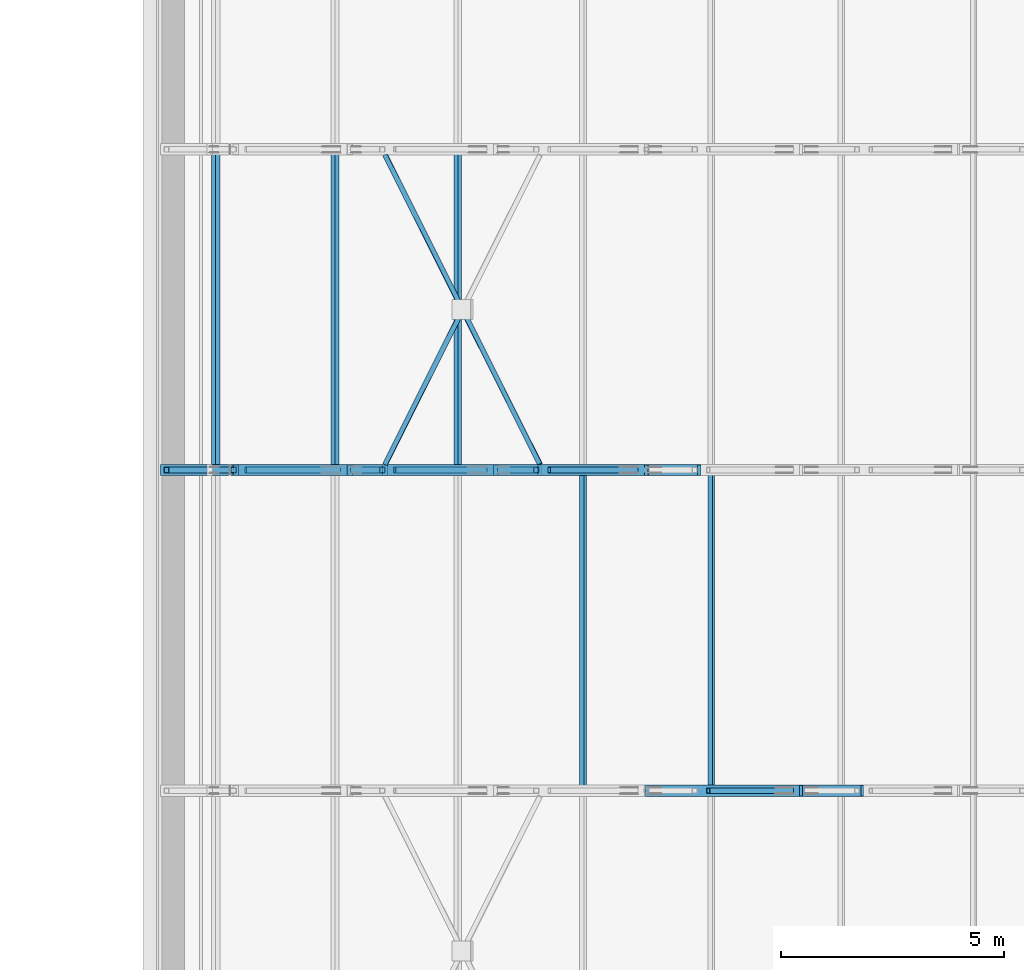
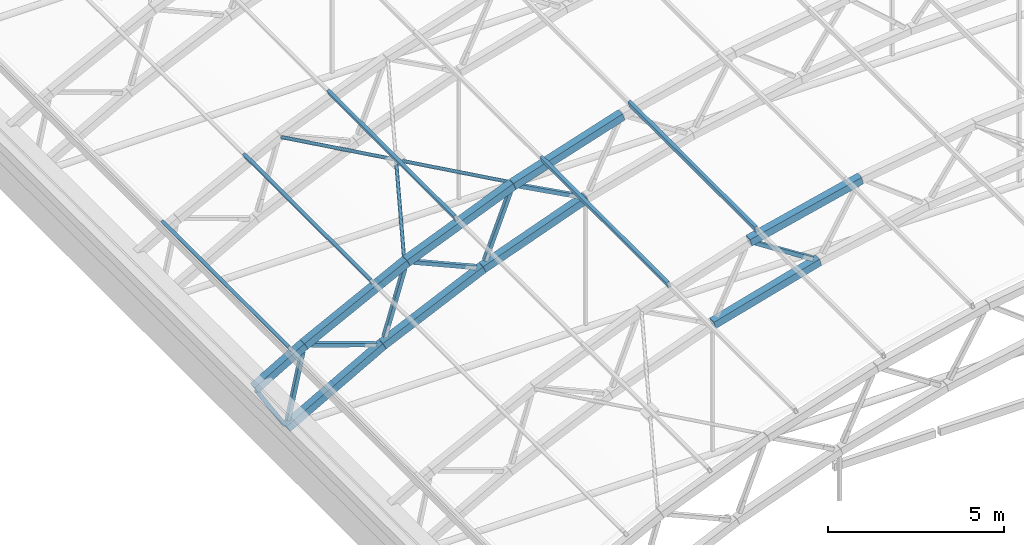
# One storey, part 9 of 127: 24 members.
"""IFC4 building model written with IfcOpenShell, lengths in metres."""

import ifcopenshell
import ifcopenshell.guid

model = None  # the IFC model being written
_history = None  # IfcOwnerHistory: only IFC2X3 demands one
_inside = {}  # id of a spatial element -> (the spatial element, [elements in it])
_under = {}  # id of a project, library or spatial element -> (it, [spatial elements below it])
_declared = {}  # id of a project -> (the project, [libraries it declares])
_typed = {}  # id of a type object -> (the type object, [elements of that type])
_made_of = {}  # id of a material, layer set ... -> (it, [elements and type objects made of it])


def new_model(schema):
    """Start an empty IFC model of exactly this schema.

    Asked for "IFC4X3", IfcOpenShell would pick the latest addendum, in which some entities
    have other attributes; the version numbers below select the first issue.
    IFC2X3 requires an IfcOwnerHistory on every rooted entity: one is made here for all.
    """
    global model, _history
    if schema == "IFC4X3":
        model = ifcopenshell.file(schema_version=(4, 3, 0, 0))
    else:
        model = ifcopenshell.file(schema=schema)
    _inside.clear()
    _under.clear()
    _declared.clear()
    _typed.clear()
    _made_of.clear()
    _history = None
    if model.schema == "IFC2X3":
        org = make("IfcOrganization", Name="unknown")
        user = make(
            "IfcPersonAndOrganization",
            ThePerson=make("IfcPerson", FamilyName="unknown"),
            TheOrganization=org,
        )
        app = make(
            "IfcApplication",
            ApplicationDeveloper=org,
            Version="unknown",
            ApplicationFullName="unknown",
            ApplicationIdentifier="unknown",
        )
        _history = make(
            "IfcOwnerHistory",
            OwningUser=user,
            OwningApplication=app,
            ChangeAction="ADDED",
            CreationDate=0,
        )
    return model


def make(cls, **values):
    """One entity of the class cls with the attributes given. An attribute that is None is left unset."""
    return model.create_entity(
        cls, **{name: value for name, value in values.items() if value is not None}
    )


def rooted(cls, **values):
    """An entity with a GlobalId (a new one), such as an element, a storey or a relation."""
    return make(cls, GlobalId=ifcopenshell.guid.new(), OwnerHistory=_history, **values)


def si_unit(unit_type, name, prefix=None):
    """IfcSIUnit, for example si_unit("LENGTHUNIT", "METRE", prefix="MILLI")."""
    return make("IfcSIUnit", UnitType=unit_type, Prefix=prefix, Name=name)


def assignment(units):
    """IfcUnitAssignment: the units of a project."""
    return None if units is None else make("IfcUnitAssignment", Units=units)


def point(xyz):
    """IfcCartesianPoint."""
    return None if xyz is None else make("IfcCartesianPoint", Coordinates=xyz)


def direction(xyz):
    """IfcDirection."""
    return None if xyz is None else make("IfcDirection", DirectionRatios=xyz)


def frame(location, z_axis=None, x_axis=None):
    """IfcAxis2Placement3D, a coordinate frame: its origin and axes. An axis left out is left unset."""
    return make(
        "IfcAxis2Placement3D",
        Location=point(location),
        Axis=direction(z_axis),
        RefDirection=direction(x_axis),
    )


def frame_2d(location, x_axis=None):
    """IfcAxis2Placement2D, a coordinate frame in the plane: its origin and x axis."""
    return make(
        "IfcAxis2Placement2D", Location=point(location), RefDirection=direction(x_axis)
    )


def origin():
    """The frame at (0, 0, 0) with its axes left unset."""
    return frame((0.0, 0.0, 0.0))


def origin_2d():
    """The frame at (0, 0) in the plane with its x axis left unset."""
    return frame_2d((0.0, 0.0))


def place(relative_to, where):
    """IfcLocalPlacement: puts the frame where relative to a parent placement (None: the world)."""
    return make(
        "IfcLocalPlacement", PlacementRelTo=relative_to, RelativePlacement=where
    )


def context(
    kind, dimensions, precision=None, world=None, true_north=None, identifier=None
):
    """IfcGeometricRepresentationContext, for example the 3D "Model" context."""
    return make(
        "IfcGeometricRepresentationContext",
        ContextIdentifier=identifier,
        ContextType=kind,
        CoordinateSpaceDimension=dimensions,
        Precision=precision,
        WorldCoordinateSystem=world,
        TrueNorth=true_north,
    )


def subcontext(parent, identifier, kind, view, scale=None):
    """IfcGeometricRepresentationSubContext, for example "Body" below "Model"."""
    return make(
        "IfcGeometricRepresentationSubContext",
        ContextIdentifier=identifier,
        ContextType=kind,
        ParentContext=parent,
        TargetScale=scale,
        TargetView=view,
    )


def project(units=None, contexts=None):
    """IfcProject with its units and contexts."""
    return rooted(
        "IfcProject",
        Name="project",
        RepresentationContexts=contexts,
        UnitsInContext=assignment(units),
    )


def spatial(cls, under=None, at=None, **own):
    """A site, building, storey or space (cls), placed at a placement, below another one or the project."""
    s = rooted(cls, ObjectPlacement=at, **own)
    if under is not None:
        _under.setdefault(under.id(), (under, []))[1].append(s)
    return s


def profile(cls, at=None, kind="AREA", **sizes):
    """A parametric profile (cls). Its sizes go by their IFC names, for example OverallWidth=200.0."""
    return make(cls, ProfileType=kind, Position=at, **sizes)


def hollow_rectangle(**sizes):
    """IfcRectangleHollowProfileDef."""
    return profile("IfcRectangleHollowProfileDef", **sizes)


def hollow_circle(**sizes):
    """IfcCircleHollowProfileDef."""
    return profile("IfcCircleHollowProfileDef", **sizes)


def extrude(swept, where, along, depth):
    """IfcExtrudedAreaSolid: the profile swept, set in the frame where, extruded along a direction by depth."""
    return make(
        "IfcExtrudedAreaSolid",
        SweptArea=swept,
        Position=where,
        ExtrudedDirection=direction(along),
        Depth=depth,
    )


def shape(context_of_items, identifier, shape_type, items):
    """IfcShapeRepresentation: the items that make up one representation, for example the "Body"."""
    return make(
        "IfcShapeRepresentation",
        ContextOfItems=context_of_items,
        RepresentationIdentifier=identifier,
        RepresentationType=shape_type,
        Items=items,
    )


def material(Name=None, Category=None):
    """IfcMaterial."""
    return make("IfcMaterial", Name=Name, Category=Category)


def material_profile(
    of_material, cross_section, Name=None, Category=None, Priority=None
):
    """IfcMaterialProfile: a cross section and its material."""
    return make(
        "IfcMaterialProfile",
        Name=Name,
        Material=of_material,
        Profile=cross_section,
        Priority=Priority,
        Category=Category,
    )


def profile_set(profiles, Name=None, composite=None):
    """IfcMaterialProfileSet."""
    return make(
        "IfcMaterialProfileSet",
        Name=Name,
        MaterialProfiles=profiles,
        CompositeProfile=composite,
    )


def made_of(thing, what):
    """Note that an element or type object is made of a material, layer set ...; save() writes the relation."""
    if what is not None:
        _made_of.setdefault(what.id(), (what, []))[1].append(thing)
    return thing


def type_object(cls, material=None, **own):
    """A type object (cls), such as IfcWallType, which elements share."""
    return made_of(rooted(cls, **own), material)


def element(
    cls,
    number,
    at=None,
    inside=None,
    cuts=None,
    type_object=None,
    material=None,
    context=None,
    identifier="Body",
    shape_type=None,
    held_by="IfcProductDefinitionShape",
    body=None,
    shapes=None,
    **own,
):
    """One element of the class cls, such as IfcWall. Its Tag is "e" and its number.

    at: its placement. inside: the storey or other place that contains it. cuts: it is an
    opening in that element (IfcRelVoidsElement). A single representation is given by context,
    identifier, shape_type and body (its items); several are given by shapes. held_by: the class
    of the entity that holds the representations. save() writes the other relations.
    """
    e = rooted(cls, Tag="e%d" % number, ObjectPlacement=at, **own)
    if body is not None:
        shapes = [shape(context, identifier, shape_type, body)]
    if shapes is not None:
        e.Representation = make(held_by, Representations=shapes)
    if inside is not None:
        _inside.setdefault(inside.id(), (inside, []))[1].append(e)
    if cuts is not None:
        rooted(
            "IfcRelVoidsElement", RelatingBuildingElement=cuts, RelatedOpeningElement=e
        )
    if type_object is not None:
        _typed.setdefault(type_object.id(), (type_object, []))[1].append(e)
    return made_of(e, material)


def aggregate(whole, parts):
    """IfcRelAggregates: a whole, such as a stair, and the parts it consists of."""
    return rooted("IfcRelAggregates", RelatingObject=whole, RelatedObjects=parts)


def save(model, path):
    """Write the relations noted so far, then the file.

    IfcRelAggregates (storeys below a building ...), IfcRelContainedInSpatialStructure (elements
    in a storey), IfcRelDefinesByType, IfcRelAssociatesMaterial and IfcRelDeclares: one each for
    every whole, place, type object, material and project.
    """
    for whole, parts in _under.values():
        aggregate(whole, parts)
    for where, things in _inside.values():
        rooted(
            "IfcRelContainedInSpatialStructure",
            RelatedElements=things,
            RelatingStructure=where,
        )
    for kind, things in _typed.values():
        rooted("IfcRelDefinesByType", RelatedObjects=things, RelatingType=kind)
    for what, things in _made_of.values():
        rooted("IfcRelAssociatesMaterial", RelatedObjects=things, RelatingMaterial=what)
    for by, libraries in _declared.values():
        rooted("IfcRelDeclares", RelatingContext=by, RelatedDefinitions=libraries)
    model.write(path)


model = new_model("IFC4")

# Units and contexts
model_context = context("Model", 3, precision=1e-05, world=origin(), true_north=direction((0.0, 1.0)))
body_context = subcontext(model_context, "Body", "Model", "MODEL_VIEW")
ifc_project = project(units=[si_unit("LENGTHUNIT", "METRE"), si_unit("AREAUNIT", "SQUARE_METRE"), si_unit("VOLUMEUNIT", "CUBIC_METRE"), si_unit("PLANEANGLEUNIT", "RADIAN"), si_unit("MASSUNIT", "GRAM", prefix="KILO")], contexts=[model_context])

# Site, building, storey
site_placement = place(None, origin())
site = spatial("IfcSite", under=ifc_project, at=site_placement, CompositionType="ELEMENT")
building_placement = place(site_placement, origin())
building = spatial("IfcBuilding", under=site, at=building_placement, Name="Verrick Yard Athletic Hall", CompositionType="ELEMENT")
storey_placement = place(building_placement, frame((0.0, 0.0, 14.0)))
storey = spatial("IfcBuildingStorey", under=building, at=storey_placement, Name="L03", CompositionType="ELEMENT", Elevation=14.0)

# Members
ifc_material = material(Name="Structural steel HSS Class C 350W (CSA G40.20/G40.21)", Category="steel")
ifc_material_profile_1 = material_profile(ifc_material, hollow_rectangle(XDim=0.25390625, YDim=0.25390625, WallThickness=0.009521484375, at=origin_2d()), Name="HSS254x254x9.5")
ifc_profile_set_1 = profile_set([ifc_material_profile_1], Name="Structural steel HSS Class C 350W (CSA G40.20/G40.21)")
member_type_1 = type_object("IfcMemberType", Name="HB bottom chord HSS254x254x9.5", PredefinedType="CHORD", material=ifc_profile_set_1)
member_1_placement = place(storey_placement, frame((37.812255859375, 79.199951171875, 4.514404296875), z_axis=(0.962572378456, 0.0, 0.271024752066), x_axis=(0.0, 1.0, 0.0)))
element("IfcMember", 1, at=member_1_placement, inside=storey, type_object=member_type_1, Name="Truss TB2 bottom chord 4", PredefinedType="CHORD", context=body_context, shape_type="SweptSolid", body=[
    extrude(hollow_rectangle(XDim=0.25390625, YDim=0.25390625, WallThickness=0.009521484375, at=origin_2d()), origin(), (0.0, 0.0, 1.0), 3.595947265625),
])
member_2_placement = place(storey_placement, frame((28.0, 86.39990234375, 0.0), z_axis=(0.872881488331, 0.0, 0.4879322774), x_axis=(0.0, 1.0, 0.0)))
element("IfcMember", 2, at=member_2_placement, inside=storey, type_object=member_type_1, Name="Truss TB3 bottom chord 1", PredefinedType="CHORD", context=body_context, shape_type="SweptSolid", body=[
    extrude(hollow_rectangle(XDim=0.25390625, YDim=0.25390625, WallThickness=0.009521484375, at=origin_2d()), origin(), (0.0, 0.0, 1.0), 3.60107421875),
])
member_3_placement = place(storey_placement, frame((31.15234375, 86.39990234375, 1.761474609375), z_axis=(0.908445597889, 0.0, 0.418003104865), x_axis=(0.0, 1.0, 0.0)))
element("IfcMember", 3, at=member_3_placement, inside=storey, type_object=member_type_1, Name="Truss TB3 bottom chord 2", PredefinedType="CHORD", context=body_context, shape_type="SweptSolid", body=[
    extrude(hollow_rectangle(XDim=0.25390625, YDim=0.25390625, WallThickness=0.009521484375, at=origin_2d()), origin(), (0.0, 0.0, 1.0), 3.59619140625),
])
member_4_placement = place(storey_placement, frame((34.42822265625, 86.39990234375, 3.2685546875), z_axis=(0.938394107905, 0.0, 0.345566922966), x_axis=(0.0, 1.0, 0.0)))
element("IfcMember", 4, at=member_4_placement, inside=storey, type_object=member_type_1, Name="Truss TB3 bottom chord 3", PredefinedType="CHORD", context=body_context, shape_type="SweptSolid", body=[
    extrude(hollow_rectangle(XDim=0.25390625, YDim=0.25390625, WallThickness=0.009521484375, at=origin_2d()), origin(), (0.0, 0.0, 1.0), 3.595947265625),
])
ifc_material_profile_2 = material_profile(ifc_material, hollow_rectangle(XDim=0.1015625, YDim=0.203125, WallThickness=0.009521484375, at=origin_2d()), Name="HSS203x102x9.5")
ifc_profile_set_2 = profile_set([ifc_material_profile_2], Name="Structural steel HSS Class C 350W (CSA G40.20/G40.21)")
member_type_2 = type_object("IfcMemberType", Name="HB purlin HSS203x102x9.5", PredefinedType="PURLIN", material=ifc_profile_set_2)
for number, where, z_axis, x_axis, name in (
    (5, (36.380859375, 79.199951171875, 6.3544921875), (0.0, 1.0, 0.0), (-0.951213620533, 0.0, -0.308533058379), "HB-PU-B-2-4"),
    (6, (39.2587890625, 79.199951171875, 7.260009765625), (0.0, 1.0, 0.0), (-0.972458956474, 0.0, -0.23307418985), "HB-PU-B-2-5"),
):
    element("IfcMember", number, at=place(storey_placement, frame(where, z_axis=z_axis, x_axis=x_axis)), inside=storey, type_object=member_type_2, Name=name, PredefinedType="PURLIN", context=body_context, shape_type="SweptSolid", body=[
        extrude(hollow_rectangle(XDim=0.1015625, YDim=0.203125, WallThickness=0.009521484375, at=origin_2d()), origin(), (0.0, 0.0, 1.0), 7.199951171875),
    ])
for number, where, z_axis, x_axis, name in (
    (7, (28.1357421875, 86.39990234375, 2.660888671875), (0.0, 1.0, 0.0), (-0.86316809178, 0.0, -0.504916671673), "HB-PU-B-3-1"),
    (8, (30.81103515625, 86.39990234375, 4.046875), (0.0, 1.0, 0.0), (-0.891352741199, 0.0, -0.453310369126), "HB-PU-B-3-2"),
    (9, (33.56201171875, 86.39990234375, 5.2822265625), (0.0, 1.0, 0.0), (-0.924122791552, 0.0, -0.382095624331), "HB-PU-B-3-3"),
):
    element("IfcMember", number, at=place(storey_placement, frame(where, z_axis=z_axis, x_axis=x_axis)), inside=storey, type_object=member_type_2, Name=name, PredefinedType="PURLIN", context=body_context, shape_type="SweptSolid", body=[
        extrude(hollow_rectangle(XDim=0.1015625, YDim=0.203125, WallThickness=0.009521484375, at=origin_2d()), origin(), (0.0, 0.0, 1.0), 7.2001953125),
    ])
ifc_material_profile_3 = material_profile(ifc_material, hollow_circle(Radius=0.05712890625, WallThickness=0.00634765625, at=origin_2d()), Name="HSS114x6.4")
ifc_profile_set_3 = profile_set([ifc_material_profile_3], Name="Structural steel HSS Class C 350W (CSA G40.20/G40.21)")
member_type_3 = type_object("IfcMemberType", Name="HB roof brace HSS114x6.4", PredefinedType="BRACE", material=ifc_profile_set_3)
member_5_placement = place(storey_placement, frame((31.934814453125, 86.527099609375, 4.362060546875), z_axis=(0.440175081997, 0.879270525212, 0.182014396913), x_axis=(-0.894207487255, 0.447652733418, 0.0)))
element("IfcMember", 10, at=member_5_placement, inside=storey, type_object=member_type_3, Name="HB-BR-B-3-1b1", PredefinedType="BRACE", context=body_context, shape_type="SweptSolid", body=[
    extrude(hollow_circle(Radius=0.05712890625, WallThickness=0.00634765625, at=origin_2d()), origin(), (0.0, 0.0, 1.0), 3.84423828125),
])
member_6_placement = place(storey_placement, frame((35.412109375, 86.527099609375, 5.7998046875), z_axis=(-0.44018917699, 0.879265750569, -0.18200337452), x_axis=(-0.894200776115, -0.447666138988, 0.0)))
element("IfcMember", 11, at=member_6_placement, inside=storey, type_object=member_type_3, Name="HB-BR-B-3-1a", PredefinedType="BRACE", context=body_context, shape_type="SweptSolid", body=[
    extrude(hollow_circle(Radius=0.05712890625, WallThickness=0.00634765625, at=origin_2d()), origin(), (0.0, 0.0, 1.0), 7.899658203125),
])
ifc_material_profile_4 = material_profile(ifc_material, hollow_rectangle(XDim=0.25390625, YDim=0.25390625, WallThickness=0.009521484375, at=origin_2d()), Name="HSS254x254x9.5")
ifc_profile_set_4 = profile_set([ifc_material_profile_4], Name="Structural steel HSS Class C 350W (CSA G40.20/G40.21)")
member_type_4 = type_object("IfcMemberType", Name="HB top chord HSS254x254x9.5", PredefinedType="CHORD", material=ifc_profile_set_4)
member_7_placement = place(storey_placement, frame((38.996337890625, 79.199951171875, 6.9619140625), z_axis=(0.972453991168, 0.0, 0.233094905697), x_axis=(0.0, 1.0, 0.0)))
element("IfcMember", 12, at=member_7_placement, inside=storey, type_object=member_type_4, Name="Truss TB2 top chord 5", PredefinedType="CHORD", context=body_context, shape_type="SweptSolid", body=[
    extrude(hollow_rectangle(XDim=0.25390625, YDim=0.25390625, WallThickness=0.009521484375, at=origin_2d()), origin(), (0.0, 0.0, 1.0), 3.752685546875),
])
member_8_placement = place(storey_placement, frame((26.95654296875, 86.39990234375, 1.706298828125), z_axis=(0.863174775639, 0.0, 0.504905245269), x_axis=(0.0, 1.0, 0.0)))
element("IfcMember", 13, at=member_8_placement, inside=storey, type_object=member_type_4, Name="Truss TB3 top chord 1", PredefinedType="CHORD", context=body_context, shape_type="SweptSolid", body=[
    extrude(hollow_rectangle(XDim=0.25390625, YDim=0.25390625, WallThickness=0.009521484375, at=origin_2d()), origin(), (0.0, 0.0, 1.0), 1.878173828125),
])
member_9_placement = place(storey_placement, frame((28.584228515625, 86.39990234375, 2.657958984375), z_axis=(0.891336584454, 0.0, 0.453342137037), x_axis=(0.0, 1.0, 0.0)))
element("IfcMember", 14, at=member_9_placement, inside=storey, type_object=member_type_4, Name="Truss TB3 top chord 2", PredefinedType="CHORD", context=body_context, shape_type="SweptSolid", body=[
    extrude(hollow_rectangle(XDim=0.25390625, YDim=0.25390625, WallThickness=0.009521484375, at=origin_2d()), origin(), (0.0, 0.0, 1.0), 3.754150390625),
])
for number, where, z_axis, x_axis, name in (
    (15, (31.939453125, 86.39990234375, 4.364013671875), (0.924130129149, 0.0, 0.382077877402), (0.0, 1.0, 0.0), "Truss TB3 top chord 3"),
    (16, (35.4169921875, 86.39990234375, 5.80126953125), (0.951202693453, 0.0, 0.308566744754), (0.0, 1.0, 0.0), "Truss TB3 top chord 4"),
):
    element("IfcMember", number, at=place(storey_placement, frame(where, z_axis=z_axis, x_axis=x_axis)), inside=storey, type_object=member_type_4, Name=name, PredefinedType="CHORD", context=body_context, shape_type="SweptSolid", body=[
        extrude(hollow_rectangle(XDim=0.25390625, YDim=0.25390625, WallThickness=0.009521484375, at=origin_2d()), origin(), (0.0, 0.0, 1.0), 3.752685546875),
    ])
ifc_material_profile_5 = material_profile(ifc_material, hollow_rectangle(XDim=0.126953125, YDim=0.126953125, WallThickness=0.009521484375, at=origin_2d()), Name="HSS127x127x9.5")
ifc_profile_set_5 = profile_set([ifc_material_profile_5], Name="Structural steel HSS Class C 350W (CSA G40.20/G40.21)")
member_type_5 = type_object("IfcMemberType", Name="HB truss end post HSS127x127x9.5", PredefinedType="POST", material=ifc_profile_set_5)
member_10_placement = place(storey_placement, frame((27.932373046875, 86.39990234375, 0.110595703125), z_axis=(-0.521773101112, 0.0, 0.853084304718), x_axis=(0.0, -1.0, 0.0)))
element("IfcMember", 17, at=member_10_placement, inside=storey, type_object=member_type_5, Name="Truss TB3 end post 1", PredefinedType="POST", context=body_context, shape_type="SweptSolid", body=[
    extrude(hollow_rectangle(XDim=0.126953125, YDim=0.126953125, WallThickness=0.009521484375, at=origin_2d()), origin(), (0.0, 0.0, 1.0), 1.741943359375),
])
ifc_material_profile_6 = material_profile(ifc_material, hollow_rectangle(XDim=0.126953125, YDim=0.126953125, WallThickness=0.009521484375, at=origin_2d()), Name="HSS127x127x9.5")
ifc_profile_set_6 = profile_set([ifc_material_profile_6], Name="Structural steel HSS Class C 350W (CSA G40.20/G40.21)")
member_type_6 = type_object("IfcMemberType", Name="HB truss web HSS127x127x9.5", PredefinedType="BRACE", material=ifc_profile_set_6)
member_11_placement = place(storey_placement, frame((39.190673828125, 79.199951171875, 6.832763671875), z_axis=(0.841118094735, 0.0, -0.54085150523), x_axis=(0.0, 1.0, 0.0)))
element("IfcMember", 18, at=member_11_placement, inside=storey, type_object=member_type_6, Name="Truss TB2 web 8", PredefinedType="BRACE", context=body_context, shape_type="SweptSolid", body=[
    extrude(hollow_rectangle(XDim=0.126953125, YDim=0.126953125, WallThickness=0.009521484375, at=origin_2d()), origin(), (0.0, 0.0, 1.0), 2.233642578125),
])
member_12_placement = place(storey_placement, frame((28.04833984375, 86.39990234375, 0.220703125), z_axis=(0.213603528569, 0.0, 0.976920433087), x_axis=(0.0, 1.0, 0.0)))
element("IfcMember", 19, at=member_12_placement, inside=storey, type_object=member_type_6, Name="Truss end diagonal TB3-1", PredefinedType="BRACE", context=body_context, shape_type="SweptSolid", body=[
    extrude(hollow_rectangle(XDim=0.126953125, YDim=0.126953125, WallThickness=0.009521484375, at=origin_2d()), origin(), (0.0, 0.0, 1.0), 2.261962890625),
])
member_13_placement = place(storey_placement, frame((28.804443359375, 86.39990234375, 2.578369140625), z_axis=(0.944015035532, 0.0, -0.329902429045), x_axis=(0.0, 1.0, 0.0)))
element("IfcMember", 20, at=member_13_placement, inside=storey, type_object=member_type_6, Name="Truss TB3 web 2", PredefinedType="BRACE", context=body_context, shape_type="SweptSolid", body=[
    extrude(hollow_rectangle(XDim=0.126953125, YDim=0.126953125, WallThickness=0.009521484375, at=origin_2d()), origin(), (0.0, 0.0, 1.0), 2.2333984375),
])
for number, where, z_axis, x_axis, name in (
    (21, (31.2197265625, 86.39990234375, 1.99755859375), (0.289443070658, 0.0, 0.957195230268), (0.0, 1.0, 0.0), "Truss TB3 web 3"),
    (22, (32.151611328125, 86.39990234375, 4.2666015625), (0.915297302882, 0.0, -0.402778906272), (0.0, 1.0, 0.0), "Truss TB3 web 4"),
    (23, (34.513916015625, 86.39990234375, 3.49853515625), (0.363632709383, 0.0, 0.93154240519), (0.0, 1.0, 0.0), "Truss TB3 web 5"),
    (24, (35.620849609375, 86.39990234375, 5.687744140625), (0.880902446091, 0.0, -0.473297877103), (0.0, 1.0, 0.0), "Truss TB3 web 6"),
):
    element("IfcMember", number, at=place(storey_placement, frame(where, z_axis=z_axis, x_axis=x_axis)), inside=storey, type_object=member_type_6, Name=name, PredefinedType="BRACE", context=body_context, shape_type="SweptSolid", body=[
        extrude(hollow_rectangle(XDim=0.126953125, YDim=0.126953125, WallThickness=0.009521484375, at=origin_2d()), origin(), (0.0, 0.0, 1.0), 2.233642578125),
    ])

save(model, "model.ifc")
